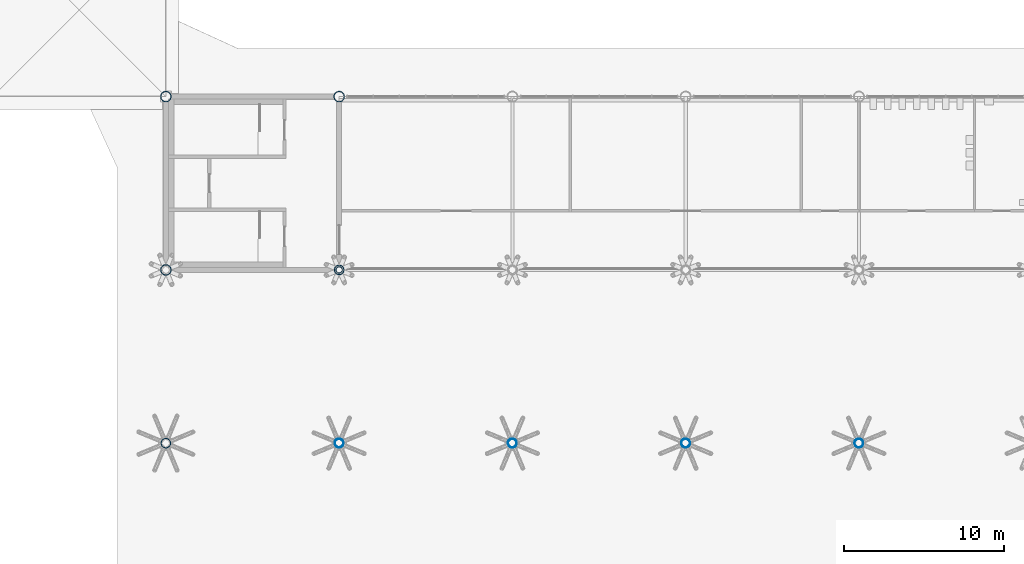
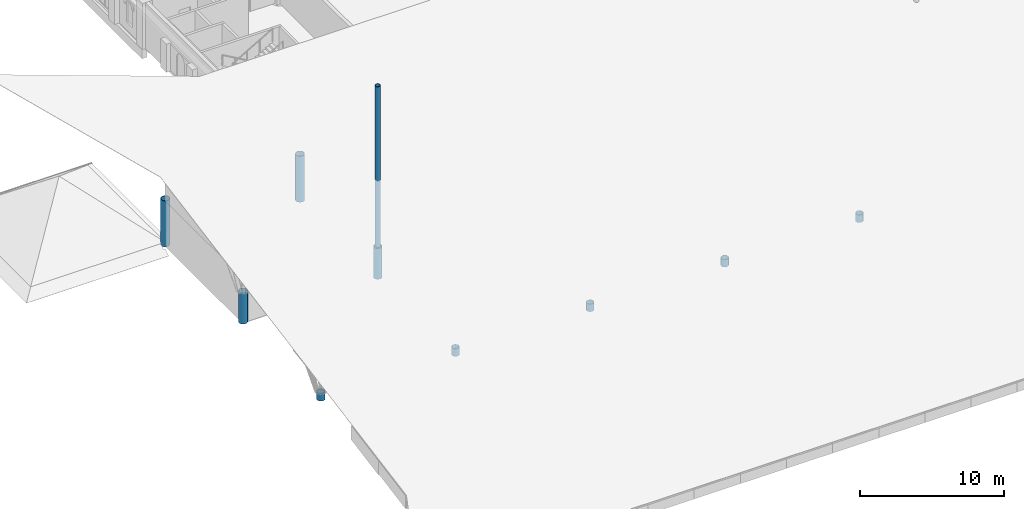
# One storey, part 1 of 56: 10 columns.
"""IFC4 building model written with IfcOpenShell, lengths in metres."""

from ifc_helpers import new_model, si_unit, direction, frame, origin, origin_2d, place, context, subcontext, project, spatial, hollow_circle, extrude, material, material_profile, profile_set, type_object, element, save


model = new_model("IFC4")

# Units and contexts
model_context = context("Model", 3, precision=1e-05, world=origin(), true_north=direction((0.0, 1.0)))
body_context = subcontext(model_context, "Body", "Model", "MODEL_VIEW")
ifc_project = project(units=[si_unit("LENGTHUNIT", "METRE"), si_unit("AREAUNIT", "SQUARE_METRE"), si_unit("VOLUMEUNIT", "CUBIC_METRE"), si_unit("PLANEANGLEUNIT", "RADIAN"), si_unit("MASSUNIT", "GRAM", prefix="KILO")], contexts=[model_context])

# Site, building, storey
site_placement = place(None, origin())
site = spatial("IfcSite", under=ifc_project, at=site_placement, CompositionType="ELEMENT")
building_placement = place(site_placement, origin())
building = spatial("IfcBuilding", under=site, at=building_placement, Name="Magnolia Steps Interchange", CompositionType="ELEMENT")
storey_placement = place(building_placement, frame((0.0, 0.0, 8.699951171875)))
storey = spatial("IfcBuildingStorey", under=building, at=storey_placement, Name="L02", CompositionType="ELEMENT", Elevation=8.699951171875)

# Columns
ifc_material_1 = material(Name="Steel Q355B", Category="steel")
ifc_material_profile_1 = material_profile(ifc_material_1, hollow_circle(Radius=0.202880859375, WallThickness=0.01611328125, at=origin_2d()), Name="CHS406x16")
ifc_profile_set_1 = profile_set([ifc_material_profile_1], Name="Steel Q355B")
column_type_1 = type_object("IfcColumnType", Name="Mast CHS406x16", PredefinedType="COLUMN", material=ifc_profile_set_1)
column_1_placement = place(storey_placement, frame((64.0, 74.800048828125, 2.645751953125), z_axis=(0.0, 0.0, 1.0), x_axis=(1.0, 0.0, 0.0)))
element("IfcColumn", 1, at=column_1_placement, inside=storey, type_object=column_type_1, Name="Mast SP-H-NW", PredefinedType="COLUMN", context=body_context, shape_type="SweptSolid", body=[
    extrude(hollow_circle(Radius=0.202880859375, WallThickness=0.01611328125, at=origin_2d()), origin(), (0.0, 0.0, 1.0), 13.60546875),
])
ifc_material_2 = material(Name="Steel Q355B", Category="steel")
ifc_material_profile_2 = material_profile(ifc_material_2, hollow_circle(Radius=0.279541015625, WallThickness=0.02001953125, at=origin_2d()), Name="CHS559x20")
ifc_profile_set_2 = profile_set([ifc_material_profile_2], Name="Steel Q355B")
column_type_2 = type_object("IfcColumnType", Name="Tree trunk CHS559x20", PredefinedType="COLUMN", material=ifc_profile_set_2)
for number, where, z_axis, x_axis, name in (
    (2, (64.0, 64.0, 0.0), (0.0, 0.0, 1.0), (1.0, 0.0, 0.0), "Tree trunk TH02C"),
    (3, (74.800048828125, 64.0, 0.0), (0.0, 0.0, 1.0), (1.0, 0.0, 0.0), "Tree trunk TH03C"),
    (4, (85.60009765625, 64.0, 0.0), (0.0, 0.0, 1.0), (1.0, 0.0, 0.0), "Tree trunk TH04C"),
    (5, (96.39990234375, 64.0, 0.0), (0.0, 0.0, 1.0), (1.0, 0.0, 0.0), "Tree trunk TH05C"),
):
    element("IfcColumn", number, at=place(storey_placement, frame(where, z_axis=z_axis, x_axis=x_axis)), inside=storey, type_object=column_type_2, Name=name, PredefinedType="COLUMN", context=body_context, shape_type="SweptSolid", body=[
        extrude(hollow_circle(Radius=0.279541015625, WallThickness=0.02001953125, at=origin_2d()), origin(), (0.0, 0.0, 1.0), 0.64013671875),
    ])
ifc_material_3 = material(Name="Steel Q355B", Category="steel")
ifc_material_profile_3 = material_profile(ifc_material_3, hollow_circle(Radius=0.304931640625, WallThickness=0.02490234375, at=origin_2d()), Name="CHS610x25")
ifc_profile_set_3 = profile_set([ifc_material_profile_3], Name="Steel Q355B")
column_type_3 = type_object("IfcColumnType", Name="Tree trunk CHS610x25", PredefinedType="COLUMN", material=ifc_profile_set_3)
column_2_placement = place(storey_placement, frame((53.199951171875, 64.0, 0.0), z_axis=(0.0, 0.0, 1.0), x_axis=(1.0, 0.0, 0.0)))
element("IfcColumn", 6, at=column_2_placement, inside=storey, type_object=column_type_3, Name="Tree trunk TH01C", PredefinedType="COLUMN", context=body_context, shape_type="SweptSolid", body=[
    extrude(hollow_circle(Radius=0.304931640625, WallThickness=0.02490234375, at=origin_2d()), origin(), (0.0, 0.0, 1.0), 0.64013671875),
])
column_3_placement = place(storey_placement, frame((64.0, 74.800048828125, 0.0), z_axis=(0.0, 0.0, 1.0), x_axis=(1.0, 0.0, 0.0)))
element("IfcColumn", 7, at=column_3_placement, inside=storey, type_object=column_type_3, Name="Tree trunk TH02D", PredefinedType="COLUMN", context=body_context, shape_type="SweptSolid", body=[
    extrude(hollow_circle(Radius=0.304931640625, WallThickness=0.02490234375, at=origin_2d()), origin(), (0.0, 0.0, 1.0), 2.61572265625),
])
ifc_material_4 = material(Name="Steel Q355B", Category="steel")
ifc_material_profile_4 = material_profile(ifc_material_4, hollow_circle(Radius=0.330078125, WallThickness=0.02490234375, at=origin_2d()), Name="CHS660x25")
ifc_profile_set_4 = profile_set([ifc_material_profile_4], Name="Steel Q355B")
column_type_4 = type_object("IfcColumnType", Name="Tree trunk CHS660x25", PredefinedType="COLUMN", material=ifc_profile_set_4)
column_4_placement = place(storey_placement, frame((53.199951171875, 74.800048828125, 0.0), z_axis=(0.0, 0.0, 1.0), x_axis=(1.0, 0.0, 0.0)))
element("IfcColumn", 8, at=column_4_placement, inside=storey, type_object=column_type_4, Name="Tree trunk TH01D", PredefinedType="COLUMN", context=body_context, shape_type="SweptSolid", body=[
    extrude(hollow_circle(Radius=0.330078125, WallThickness=0.02490234375, at=origin_2d()), origin(), (0.0, 0.0, 1.0), 2.61572265625),
])
for number, where, z_axis, x_axis, name in (
    (9, (53.199951171875, 85.60009765625, 0.0), (0.0, 0.0, 1.0), (1.0, 0.0, 0.0), "Tree trunk TH01E"),
    (10, (64.0, 85.60009765625, 0.0), (0.0, 0.0, 1.0), (1.0, 0.0, 0.0), "Tree trunk TH02E"),
):
    element("IfcColumn", number, at=place(storey_placement, frame(where, z_axis=z_axis, x_axis=x_axis)), inside=storey, type_object=column_type_4, Name=name, PredefinedType="COLUMN", context=body_context, shape_type="SweptSolid", body=[
        extrude(hollow_circle(Radius=0.330078125, WallThickness=0.02490234375, at=origin_2d()), origin(), (0.0, 0.0, 1.0), 3.900146484375),
    ])

save(model, "model.ifc")
